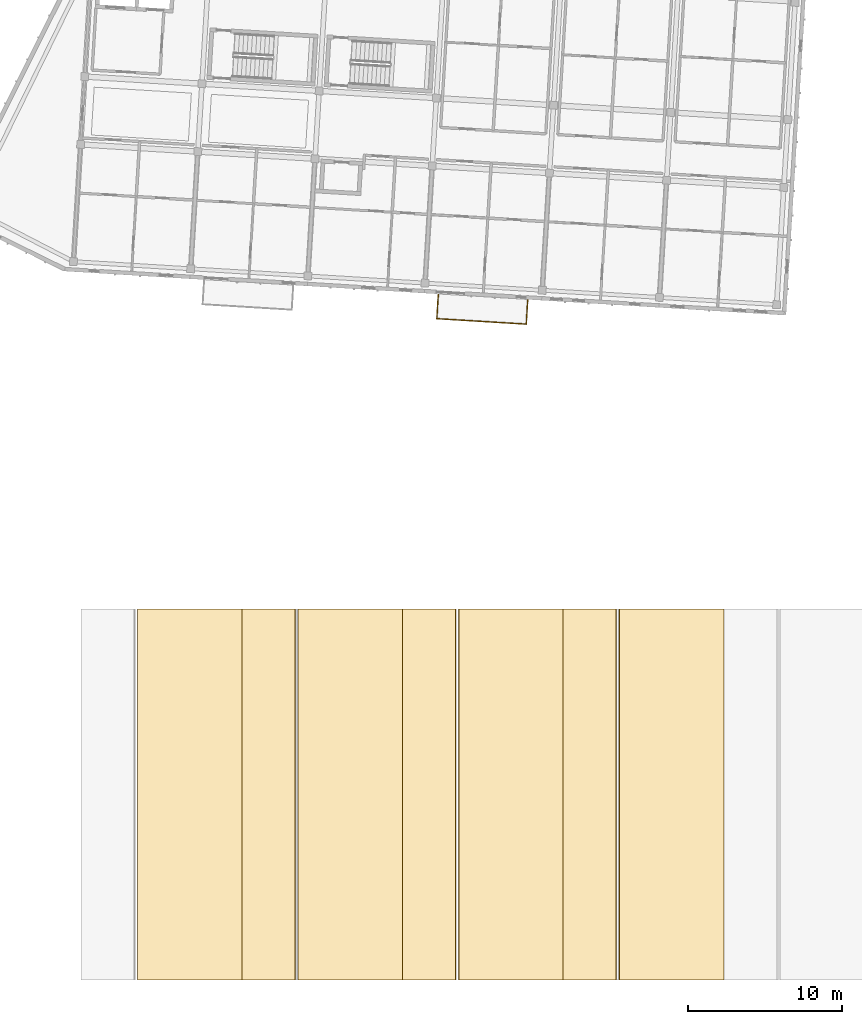
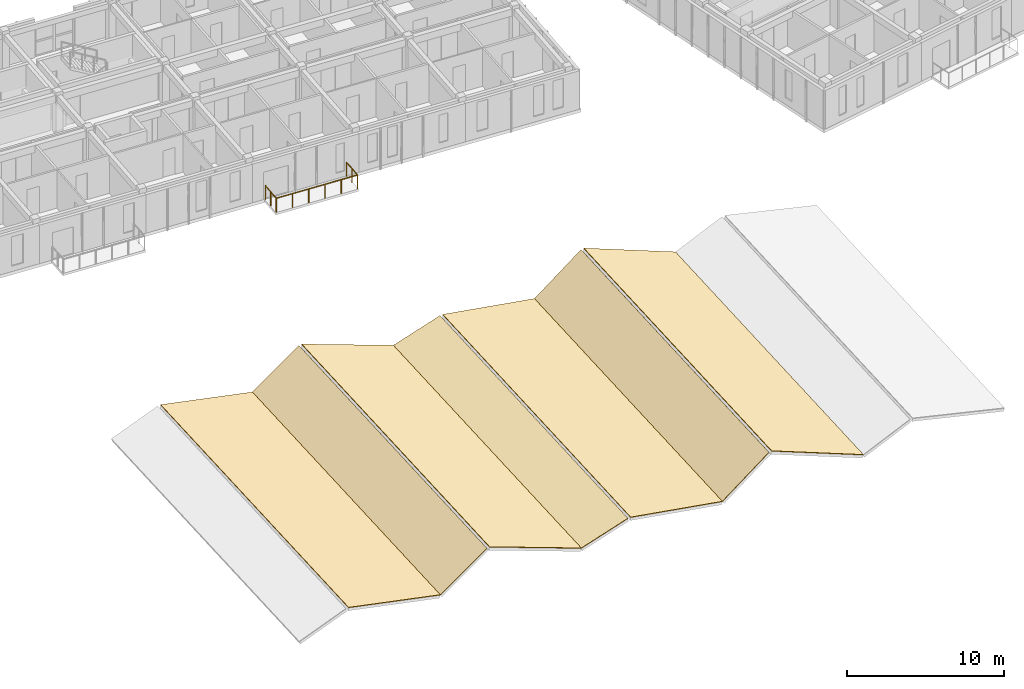
# One storey, part 44 of 74: 7 coverings, 1 railing.
"""IFC4 building model written with IfcOpenShell, lengths in metres."""

from ifc_helpers import new_model, si_unit, direction, frame, origin, origin_2d, place, context, subcontext, project, spatial, polyline, circle, outline, extrude, material, layer, layer_set, type_object, element, save


model = new_model("IFC4")

# Units and contexts
model_context = context("Model", 3, precision=1e-05, world=origin(), true_north=direction((0.0, 1.0)))
body_context = subcontext(model_context, "Body", "Model", "MODEL_VIEW")
ifc_project = project(units=[si_unit("LENGTHUNIT", "METRE"), si_unit("AREAUNIT", "SQUARE_METRE"), si_unit("VOLUMEUNIT", "CUBIC_METRE"), si_unit("PLANEANGLEUNIT", "RADIAN"), si_unit("MASSUNIT", "GRAM", prefix="KILO")], contexts=[model_context])

# Site, building, storey
site_placement = place(None, origin())
site = spatial("IfcSite", under=ifc_project, at=site_placement, CompositionType="ELEMENT")
building_placement = place(site_placement, origin())
building = spatial("IfcBuilding", under=site, at=building_placement, Name="Kestramere Prow Commons", CompositionType="ELEMENT")
storey_placement = place(building_placement, frame((0.0, 0.0, 11.64990234375)))
storey = spatial("IfcBuildingStorey", under=building, at=storey_placement, Name="L03", CompositionType="ELEMENT", Elevation=11.64990234375)

# Coverings
ifc_material_1 = material(Name="Fluoropolymer Standing-Seam Zinc-Aluminium Roofing", Category="aluminium")
ifc_layer = layer(ifc_material_1, 0.044921875)
ifc_layer_set = layer_set([ifc_layer], Name="Fluoropolymer Standing-Seam Zinc-Aluminium Roofing")
covering_type = type_object("IfcCoveringType", Name="COV-ROOF-SEAM", PredefinedType="ROOFING", material=ifc_layer_set)
covering_1_placement = place(storey_placement, frame((63.64111328125, 0.0, 1.923583984375), z_axis=(0.199571323944, -0.050966507742, 0.978556948648), x_axis=(0.979830372438, 0.0, -0.199831031743)))
element("IfcCovering", 1, at=covering_1_placement, inside=storey, type_object=covering_type, Name="Market Folded-Plate Roofing SL-MK-ROOF-0-R", PredefinedType="ROOFING", context=body_context, shape_type="SweptSolid", body=[
    extrude(outline(polyline([(0.0, 0.0), (6.897917489209515, 0.0), (6.648128699530189, 24.031231877715935), (-0.249788789679326, 24.031231877715935), (0.0, 0.0)])), origin(), (0.0, 0.0, -1.0), 0.044921875),
])
covering_2_placement = place(storey_placement, frame((70.39990234375, 0.0, 0.545166015625), z_axis=(-0.576763898019, -0.042489850789, 0.815805135141), x_axis=(0.816542555953, 0.0, 0.577285245193)))
element("IfcCovering", 2, at=covering_2_placement, inside=storey, type_object=covering_type, Name="Market Folded-Plate Roofing SL-MK-ROOF-1-L", PredefinedType="ROOFING", context=body_context, shape_type="SweptSolid", body=[
    extrude(outline(polyline([(0.0, 0.0), (4.202049628321003, 2.7755575615628914e-17), (4.923656184812716, 24.021694028057812), (0.7216065564917127, 24.021694028057812), (0.0, 0.0)])), origin(), (0.0, 0.0, -1.0), 0.044921875),
])
covering_3_placement = place(storey_placement, frame((74.041015625, 0.0, 3.0068359375), z_axis=(0.341805394963, -0.048880140457, 0.938498696772), x_axis=(0.939621872363, 0.0, -0.342214460503)))
element("IfcCovering", 3, at=covering_3_placement, inside=storey, type_object=covering_type, Name="Market Folded-Plate Roofing SL-MK-ROOF-1-R", PredefinedType="ROOFING", context=body_context, shape_type="SweptSolid", body=[
    extrude(outline(polyline([(0.0, 0.0), (7.193354477933801, 1.3877787807814457e-17), (6.765586402304696, 24.02872269750252), (-0.4277680756291054, 24.02872269750252), (0.0, 0.0)])), origin(), (0.0, 0.0, -1.0), 0.044921875),
])
covering_4_placement = place(storey_placement, frame((80.800048828125, 0.0, 0.545166015625), z_axis=(-0.308877271764, -0.049469505608, 0.949814507682), x_axis=(0.950978853408, 0.0, 0.309255914045)))
element("IfcCovering", 4, at=covering_4_placement, inside=storey, type_object=covering_type, Name="Market Folded-Plate Roofing SL-MK-ROOF-2-L", PredefinedType="ROOFING", context=body_context, shape_type="SweptSolid", body=[
    extrude(outline(polyline([(0.0, 0.0), (3.6077649790334143, 0.0), (3.9943348715894844, 24.029420794479613), (0.3865698925560702, 24.029420794479613), (0.0, 0.0)])), origin(), (0.0, 0.0, -1.0), 0.044921875),
])
covering_5_placement = place(storey_placement, frame((84.44091796875, 0.0, 1.677490234375), z_axis=(0.165007473343, -0.051299858725, 0.984957287518), x_axis=(0.9862558952, 0.0, -0.165225025896)))
element("IfcCovering", 5, at=covering_5_placement, inside=storey, type_object=covering_type, Name="Market Folded-Plate Roofing SL-MK-ROOF-2-R", PredefinedType="ROOFING", context=body_context, shape_type="SweptSolid", body=[
    extrude(outline(polyline([(0.0, 0.0), (6.853224640803335, 6.938893903907228e-18), (6.64669335843294, 24.03164257451834), (-0.20653128237039467, 24.03164257451834), (0.0, 0.0)])), origin(), (0.0, 0.0, -1.0), 0.044921875),
])
covering_6_placement = place(storey_placement, frame((91.199951171875, 0.0, 0.545166015625), z_axis=(-0.606353379903, -0.04136036173, 0.79411894522), x_axis=(0.794799059447, 0.0, 0.606872684426)))
element("IfcCovering", 6, at=covering_6_placement, inside=storey, type_object=covering_type, Name="Market Folded-Plate Roofing SL-MK-ROOF-3-L", PredefinedType="ROOFING", context=body_context, shape_type="SweptSolid", body=[
    extrude(outline(polyline([(0.0, 0.0), (4.317006044443674, 0.0), (5.075596899976232, 24.02055452969191), (0.758590855532558, 24.02055452969191), (0.0, 0.0)])), origin(), (0.0, 0.0, -1.0), 0.044921875),
])
covering_7_placement = place(storey_placement, frame((94.841064453125, 0.0, 3.203857421875), z_axis=(0.365623523472, -0.048411612562, 0.929502961186), x_axis=(0.930594110259, 0.0, -0.366052731108)))
element("IfcCovering", 7, at=covering_7_placement, inside=storey, type_object=covering_type, Name="Market Folded-Plate Roofing SL-MK-ROOF-3-R", PredefinedType="ROOFING", context=body_context, shape_type="SweptSolid", body=[
    extrude(outline(polyline([(0.0, 0.0), (7.263137740303003, 0.0), (6.805571826418261, 24.028173743221746), (-0.4575659138847416, 24.028173743221746), (0.0, 0.0)])), origin(), (0.0, 0.0, -1.0), 0.044921875),
])

# Railing
ifc_material_2 = material(Name="Powder-Coated Aluminium 6063-T6", Category="aluminium")
railing_type = type_object("IfcRailingType", Name="GRD-BALC-1100", PredefinedType="BALUSTRADE", material=ifc_material_2)
railing_placement = place(storey_placement, frame((83.11376953125, 44.364501953125, 0.0)))
element("IfcRailing", 8, at=railing_placement, inside=storey, type_object=railing_type, Name="Block C L03 Balcony Guardrail 4", PredefinedType="BALUSTRADE", context=body_context, shape_type="SweptSolid", body=[
    extrude(circle(Radius=0.02392578125, at=origin_2d()), frame((0.0, 0.0, 1.076171875), z_axis=(-0.061033697925, -0.998135706063, 0.0), x_axis=(0.998135706063, -0.061033697925, 0.0)), (0.0, 0.0, 1.0), 1.56005859375),
    extrude(circle(Radius=0.02392578125, at=origin_2d()), frame((-0.09521484375, -1.55712890625, 1.076171875), z_axis=(0.998135537192, -0.061036459553, 0.0), x_axis=(0.061036459553, 0.998135537192, 0.0)), (0.0, 0.0, 1.0), 5.7998046875),
    extrude(circle(Radius=0.02392578125, at=origin_2d()), frame((5.69384765625, -1.9111328125, 1.076171875), z_axis=(0.061043233175, 0.998135122959, 0.0), x_axis=(-0.998135122959, 0.061043233175, 0.0)), (0.0, 0.0, 1.0), 1.559814453125),
    extrude(circle(Radius=0.02099609375, at=origin_2d()), origin(), (0.0, 0.0, 1.0), 1.052001953125),
    extrude(circle(Radius=0.02099609375, at=origin_2d()), frame((-0.047607421875, -0.778564453125, 0.0)), (0.0, 0.0, 1.0), 1.052001953125),
    extrude(circle(Radius=0.02099609375, at=origin_2d()), frame((-0.09521484375, -1.55712890625, 0.0)), (0.0, 0.0, 1.0), 1.052001953125),
    extrude(circle(Radius=0.02099609375, at=origin_2d()), frame((1.0625, -1.6279296875, 0.0)), (0.0, 0.0, 1.0), 1.052001953125),
    extrude(circle(Radius=0.02099609375, at=origin_2d()), frame((2.220458984375, -1.69873046875, 0.0)), (0.0, 0.0, 1.0), 1.052001953125),
    extrude(circle(Radius=0.02099609375, at=origin_2d()), frame((3.378173828125, -1.76953125, 0.0)), (0.0, 0.0, 1.0), 1.052001953125),
    extrude(circle(Radius=0.02099609375, at=origin_2d()), frame((4.5361328125, -1.84033203125, 0.0)), (0.0, 0.0, 1.0), 1.052001953125),
    extrude(circle(Radius=0.02099609375, at=origin_2d()), frame((5.69384765625, -1.9111328125, 0.0)), (0.0, 0.0, 1.0), 1.052001953125),
    extrude(circle(Radius=0.02099609375, at=origin_2d()), frame((5.741455078125, -1.1328125, 0.0)), (0.0, 0.0, 1.0), 1.052001953125),
    extrude(circle(Radius=0.02099609375, at=origin_2d()), frame((5.7890625, -0.354248046875, 0.0)), (0.0, 0.0, 1.0), 1.052001953125),
])

save(model, "model.ifc")
